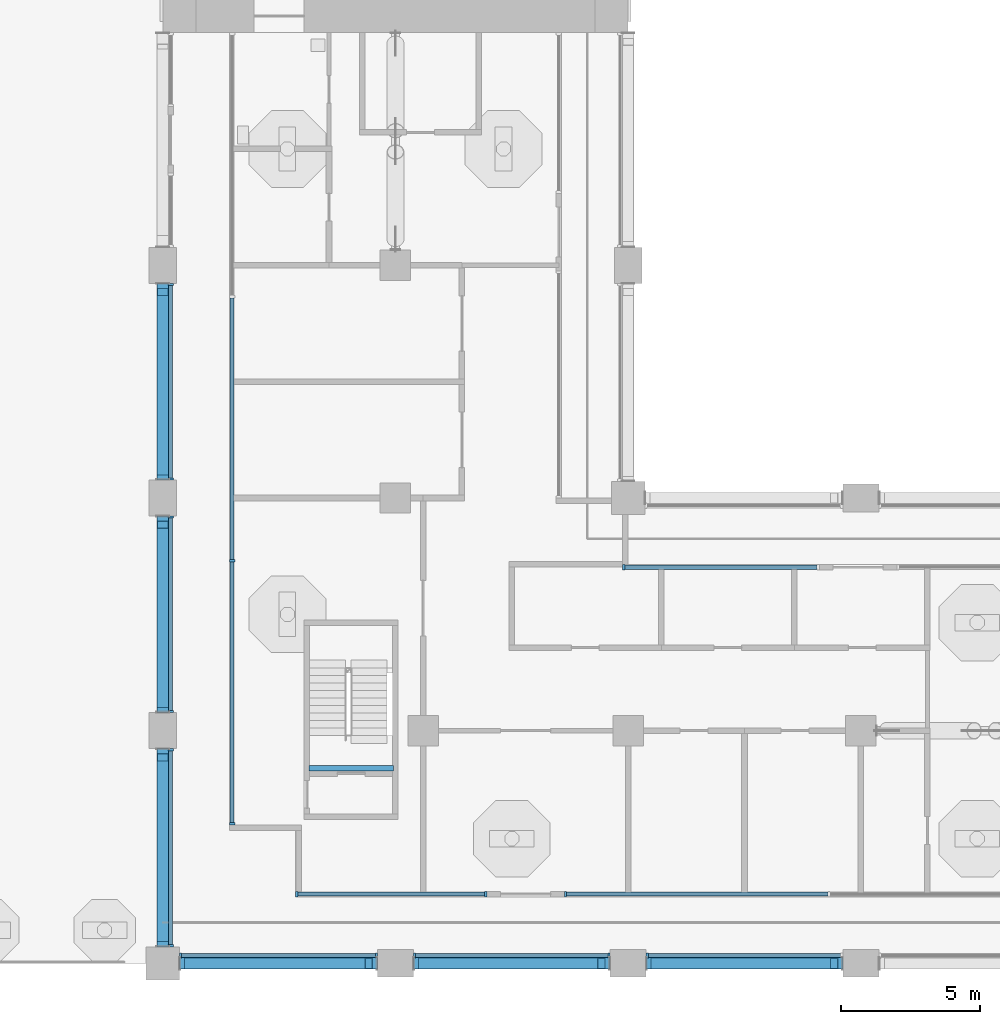
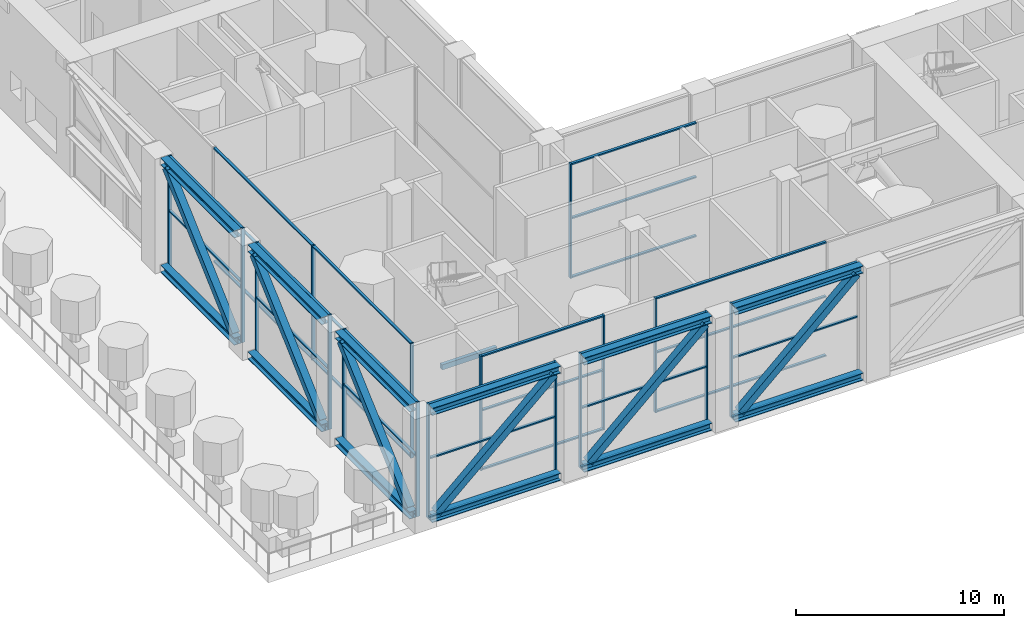
# One storey, part 2 of 22: 68 members, 1 beam, 10 elements without a shape of their own.
"""IFC4 building model written with IfcOpenShell, lengths in metres."""

from ifc_helpers import new_model, si_unit, direction, frame, origin, origin_2d, place, context, subcontext, project, spatial, rectangle, hollow_rectangle, i_section, extrude, material, material_profile, profile_set, type_object, element, aggregate, save


model = new_model("IFC4")

# Units and contexts
model_context = context("Model", 3, precision=1e-05, world=origin(), true_north=direction((0.0, 1.0)))
body_context = subcontext(model_context, "Body", "Model", "MODEL_VIEW")
ifc_project = project(units=[si_unit("LENGTHUNIT", "METRE"), si_unit("AREAUNIT", "SQUARE_METRE"), si_unit("VOLUMEUNIT", "CUBIC_METRE"), si_unit("PLANEANGLEUNIT", "RADIAN"), si_unit("MASSUNIT", "GRAM", prefix="KILO")], contexts=[model_context])

# Site, building, storey
site_placement = place(None, origin())
site = spatial("IfcSite", under=ifc_project, at=site_placement, CompositionType="ELEMENT")
building_placement = place(site_placement, origin())
building = spatial("IfcBuilding", under=site, at=building_placement, Name="Vermilion Gate Residences", CompositionType="ELEMENT")
storey_placement = place(building_placement, frame((0.0, 0.0, 140.699951171875)))
storey = spatial("IfcBuildingStorey", under=building, at=storey_placement, Name="L36", CompositionType="ELEMENT", Elevation=140.699951171875)

# Beam
ifc_material_1 = material(Name="Concrete C50", Category="concrete")
ifc_material_profile_1 = material_profile(ifc_material_1, rectangle(XDim=0.199951171875, YDim=0.300048828125, at=origin_2d()), Name="RC-200x300")
ifc_profile_set_1 = profile_set([ifc_material_profile_1], Name="Concrete C50")
beam_type = type_object("IfcBeamType", Name="RC LANDING BEAM 200 X 300 C50", PredefinedType="BEAM", material=ifc_profile_set_1)
beam_placement = place(storey_placement, frame((13.679931640625, 15.449951171875, 3.150146484375), z_axis=(1.0, 0.0, 0.0), x_axis=(0.0, 1.0, 0.0)))
element("IfcBeam", 1, at=beam_placement, inside=storey, type_object=beam_type, Name="Landing beam STC1-36 2", PredefinedType="BEAM", context=body_context, shape_type="SweptSolid", body=[
    extrude(rectangle(XDim=0.199951171875, YDim=0.300048828125, at=origin_2d()), origin(), (0.0, 0.0, 1.0), 3.0400390625),
])

# Curtain wall, members
ifc_material_2 = material(Name="Aluminium and glass", Category="aluminium")
curtain_wall_type = type_object("IfcCurtainWallType", Name="SKY GARDEN GLAZING CURTAIN WALL", PredefinedType="NOTDEFINED", material=ifc_material_2)
curtain_wall_1_placement = place(storey_placement, origin())
curtain_wall_1 = element("IfcCurtainWall", 2, at=curtain_wall_1_placement, inside=storey, type_object=curtain_wall_type, Name="Sky Garden Glazing 0", PredefinedType="NOTDEFINED")
ifc_material_3 = material(Name="Aluminium", Category="aluminium")
ifc_material_profile_2 = material_profile(ifc_material_3, rectangle(XDim=0.199951171875, YDim=0.080078125, at=origin_2d()), Name="MULLION 80 X 200")
ifc_profile_set_2 = profile_set([ifc_material_profile_2], Name="Aluminium")
member_type_1 = type_object("IfcMemberType", Name="SKY GARDEN GLAZING MULLION 80 X 200", PredefinedType="MULLION", material=ifc_profile_set_2)
member_1_placement = place(storey_placement, frame((10.89990234375, 22.933349609375, 0.0), z_axis=(0.0, 0.0, 1.0), x_axis=(1.0, 0.0, 0.0)))
member_1 = element("IfcMember", 3, at=member_1_placement, type_object=member_type_1, Name="ECW3 mullion 3", PredefinedType="MULLION", context=body_context, shape_type="SweptSolid", body=[
    extrude(rectangle(XDim=0.199951171875, YDim=0.080078125, at=origin_2d()), origin(), (0.0, 0.0, 1.0), 6.719970703125),
])
member_2_placement = place(storey_placement, frame((10.89990234375, 13.43994140625, 0.0), z_axis=(0.0, 0.0, 1.0), x_axis=(1.0, 0.0, 0.0)))
member_2 = element("IfcMember", 4, at=member_2_placement, type_object=member_type_1, Name="ECW3 mullion 4", PredefinedType="MULLION", context=body_context, shape_type="SweptSolid", body=[
    extrude(rectangle(XDim=0.199951171875, YDim=0.080078125, at=origin_2d()), origin(), (0.0, 0.0, 1.0), 6.719970703125),
])

curtain_wall_2_placement = place(storey_placement, origin())
curtain_wall_2 = element("IfcCurtainWall", 5, at=curtain_wall_2_placement, inside=storey, type_object=curtain_wall_type, Name="Sky Garden Glazing 30", PredefinedType="NOTDEFINED")
member_3_placement = place(storey_placement, frame((13.239990234375, 10.89990234375, 0.0), z_axis=(0.0, 0.0, 1.0), x_axis=(0.0, 1.0, 0.0)))
member_3 = element("IfcMember", 6, at=member_3_placement, type_object=member_type_1, Name="ECW3 mullion 1", PredefinedType="MULLION", context=body_context, shape_type="SweptSolid", body=[
    extrude(rectangle(XDim=0.199951171875, YDim=0.080078125, at=origin_2d()), origin(), (0.0, 0.0, 1.0), 6.719970703125),
])
member_4_placement = place(storey_placement, frame((20.06005859375, 10.89990234375, 0.0), z_axis=(0.0, 0.0, 1.0), x_axis=(0.0, 1.0, 0.0)))
member_4 = element("IfcMember", 7, at=member_4_placement, type_object=member_type_1, Name="ECW3 mullion 2", PredefinedType="MULLION", context=body_context, shape_type="SweptSolid", body=[
    extrude(rectangle(XDim=0.199951171875, YDim=0.080078125, at=origin_2d()), origin(), (0.0, 0.0, 1.0), 6.719970703125),
])

# Curtain wall, member
curtain_wall_3_placement = place(storey_placement, origin())
curtain_wall_3 = element("IfcCurtainWall", 8, at=curtain_wall_3_placement, inside=storey, type_object=curtain_wall_type, Name="Sky Garden Glazing 32", PredefinedType="NOTDEFINED")
member_5_placement = place(storey_placement, frame((22.93994140625, 10.89990234375, 0.0), z_axis=(0.0, 0.0, 1.0), x_axis=(0.0, 1.0, 0.0)))
member_5 = element("IfcMember", 9, at=member_5_placement, type_object=member_type_1, Name="ECW3 mullion 1", PredefinedType="MULLION", context=body_context, shape_type="SweptSolid", body=[
    extrude(rectangle(XDim=0.199951171875, YDim=0.080078125, at=origin_2d()), origin(), (0.0, 0.0, 1.0), 6.719970703125),
])

curtain_wall_4_placement = place(storey_placement, origin())
curtain_wall_4 = element("IfcCurtainWall", 10, at=curtain_wall_4_placement, inside=storey, type_object=curtain_wall_type, Name="Sky Garden Glazing 112", PredefinedType="NOTDEFINED")
member_6_placement = place(storey_placement, frame((25.0400390625, 22.699951171875, 0.0), z_axis=(0.0, 0.0, 1.0), x_axis=(0.0, -1.0, 0.0)))
member_6 = element("IfcMember", 11, at=member_6_placement, type_object=member_type_1, Name="ECW3 mullion 2", PredefinedType="MULLION", context=body_context, shape_type="SweptSolid", body=[
    extrude(rectangle(XDim=0.199951171875, YDim=0.080078125, at=origin_2d()), origin(), (0.0, 0.0, 1.0), 6.719970703125),
])

# Curtain wall, members
curtain_wall_5_placement = place(storey_placement, origin())
curtain_wall_5 = element("IfcCurtainWall", 12, at=curtain_wall_5_placement, inside=storey, type_object=curtain_wall_type, Name="Sky Garden Glazing 501", PredefinedType="NOTDEFINED")
member_7_placement = place(storey_placement, frame((8.679931640625, 32.909912109375, 0.0), z_axis=(0.0, 0.0, 1.0), x_axis=(1.0, 0.0, 0.0)))
member_7 = element("IfcMember", 13, at=member_7_placement, type_object=member_type_1, Name="ECW3 mullion 1", PredefinedType="MULLION", context=body_context, shape_type="SweptSolid", body=[
    extrude(rectangle(XDim=0.199951171875, YDim=0.080078125, at=origin_2d()), origin(), (0.0, 0.0, 1.0), 6.719970703125),
])
member_8_placement = place(storey_placement, frame((8.679931640625, 25.889892578125, 0.0), z_axis=(0.0, 0.0, 1.0), x_axis=(1.0, 0.0, 0.0)))
member_8 = element("IfcMember", 14, at=member_8_placement, type_object=member_type_1, Name="ECW3 mullion 2", PredefinedType="MULLION", context=body_context, shape_type="SweptSolid", body=[
    extrude(rectangle(XDim=0.199951171875, YDim=0.080078125, at=origin_2d()), origin(), (0.0, 0.0, 1.0), 6.719970703125),
])

curtain_wall_6_placement = place(storey_placement, origin())
curtain_wall_6 = element("IfcCurtainWall", 15, at=curtain_wall_6_placement, inside=storey, type_object=curtain_wall_type, Name="Sky Garden Glazing 502", PredefinedType="NOTDEFINED")
member_9_placement = place(storey_placement, frame((8.679931640625, 24.510009765625, 0.0), z_axis=(0.0, 0.0, 1.0), x_axis=(1.0, 0.0, 0.0)))
member_9 = element("IfcMember", 16, at=member_9_placement, type_object=member_type_1, Name="ECW3 mullion 1", PredefinedType="MULLION", context=body_context, shape_type="SweptSolid", body=[
    extrude(rectangle(XDim=0.199951171875, YDim=0.080078125, at=origin_2d()), origin(), (0.0, 0.0, 1.0), 6.719970703125),
])
member_10_placement = place(storey_placement, frame((8.679931640625, 17.489990234375, 0.0), z_axis=(0.0, 0.0, 1.0), x_axis=(1.0, 0.0, 0.0)))
member_10 = element("IfcMember", 17, at=member_10_placement, type_object=member_type_1, Name="ECW3 mullion 2", PredefinedType="MULLION", context=body_context, shape_type="SweptSolid", body=[
    extrude(rectangle(XDim=0.199951171875, YDim=0.080078125, at=origin_2d()), origin(), (0.0, 0.0, 1.0), 6.719970703125),
])

curtain_wall_7_placement = place(storey_placement, origin())
curtain_wall_7 = element("IfcCurtainWall", 18, at=curtain_wall_7_placement, inside=storey, type_object=curtain_wall_type, Name="Sky Garden Glazing 503", PredefinedType="NOTDEFINED")
member_11_placement = place(storey_placement, frame((8.679931640625, 16.110107421875, 0.0), z_axis=(0.0, 0.0, 1.0), x_axis=(1.0, 0.0, 0.0)))
member_11 = element("IfcMember", 19, at=member_11_placement, type_object=member_type_1, Name="ECW3 mullion 1", PredefinedType="MULLION", context=body_context, shape_type="SweptSolid", body=[
    extrude(rectangle(XDim=0.199951171875, YDim=0.080078125, at=origin_2d()), origin(), (0.0, 0.0, 1.0), 6.719970703125),
])
member_12_placement = place(storey_placement, frame((8.679931640625, 9.0400390625, 0.0), z_axis=(0.0, 0.0, 1.0), x_axis=(1.0, 0.0, 0.0)))
member_12 = element("IfcMember", 20, at=member_12_placement, type_object=member_type_1, Name="ECW3 mullion 2", PredefinedType="MULLION", context=body_context, shape_type="SweptSolid", body=[
    extrude(rectangle(XDim=0.199951171875, YDim=0.080078125, at=origin_2d()), origin(), (0.0, 0.0, 1.0), 6.719970703125),
])

curtain_wall_8_placement = place(storey_placement, origin())
curtain_wall_8 = element("IfcCurtainWall", 21, at=curtain_wall_8_placement, inside=storey, type_object=curtain_wall_type, Name="Sky Garden Glazing 504", PredefinedType="NOTDEFINED")
member_13_placement = place(storey_placement, frame((9.0400390625, 8.679931640625, 0.0), z_axis=(0.0, 0.0, 1.0), x_axis=(0.0, 1.0, 0.0)))
member_13 = element("IfcMember", 22, at=member_13_placement, type_object=member_type_1, Name="ECW3 mullion 1", PredefinedType="MULLION", context=body_context, shape_type="SweptSolid", body=[
    extrude(rectangle(XDim=0.199951171875, YDim=0.080078125, at=origin_2d()), origin(), (0.0, 0.0, 1.0), 6.719970703125),
])
member_14_placement = place(storey_placement, frame((16.110107421875, 8.679931640625, 0.0), z_axis=(0.0, 0.0, 1.0), x_axis=(0.0, 1.0, 0.0)))
member_14 = element("IfcMember", 23, at=member_14_placement, type_object=member_type_1, Name="ECW3 mullion 2", PredefinedType="MULLION", context=body_context, shape_type="SweptSolid", body=[
    extrude(rectangle(XDim=0.199951171875, YDim=0.080078125, at=origin_2d()), origin(), (0.0, 0.0, 1.0), 6.719970703125),
])

curtain_wall_9_placement = place(storey_placement, origin())
curtain_wall_9 = element("IfcCurtainWall", 24, at=curtain_wall_9_placement, inside=storey, type_object=curtain_wall_type, Name="Sky Garden Glazing 505", PredefinedType="NOTDEFINED")
member_15_placement = place(storey_placement, frame((17.489990234375, 8.679931640625, 0.0), z_axis=(0.0, 0.0, 1.0), x_axis=(0.0, 1.0, 0.0)))
member_15 = element("IfcMember", 25, at=member_15_placement, type_object=member_type_1, Name="ECW3 mullion 1", PredefinedType="MULLION", context=body_context, shape_type="SweptSolid", body=[
    extrude(rectangle(XDim=0.199951171875, YDim=0.080078125, at=origin_2d()), origin(), (0.0, 0.0, 1.0), 6.719970703125),
])
member_16_placement = place(storey_placement, frame((24.510009765625, 8.679931640625, 0.0), z_axis=(0.0, 0.0, 1.0), x_axis=(0.0, 1.0, 0.0)))
member_16 = element("IfcMember", 26, at=member_16_placement, type_object=member_type_1, Name="ECW3 mullion 2", PredefinedType="MULLION", context=body_context, shape_type="SweptSolid", body=[
    extrude(rectangle(XDim=0.199951171875, YDim=0.080078125, at=origin_2d()), origin(), (0.0, 0.0, 1.0), 6.719970703125),
])

# Curtain wall, member
curtain_wall_10_placement = place(storey_placement, origin())
curtain_wall_10 = element("IfcCurtainWall", 27, at=curtain_wall_10_placement, inside=storey, type_object=curtain_wall_type, Name="Sky Garden Glazing 506", PredefinedType="NOTDEFINED")
member_17_placement = place(storey_placement, frame((25.889892578125, 8.679931640625, 0.0), z_axis=(0.0, 0.0, 1.0), x_axis=(0.0, 1.0, 0.0)))
member_17 = element("IfcMember", 28, at=member_17_placement, type_object=member_type_1, Name="ECW3 mullion 1", PredefinedType="MULLION", context=body_context, shape_type="SweptSolid", body=[
    extrude(rectangle(XDim=0.199951171875, YDim=0.080078125, at=origin_2d()), origin(), (0.0, 0.0, 1.0), 6.719970703125),
])

# Member
ifc_material_4 = material(Name="Aluminium", Category="aluminium")
ifc_material_profile_3 = material_profile(ifc_material_4, rectangle(XDim=0.14990234375, YDim=0.080078125, at=origin_2d()), Name="TRANSOM 80 X 150")
ifc_profile_set_3 = profile_set([ifc_material_profile_3], Name="Aluminium")
member_type_2 = type_object("IfcMemberType", Name="SKY GARDEN GLAZING TRANSOM 80 X 150", PredefinedType="MULLION", material=ifc_profile_set_3)
member_18_placement = place(storey_placement, frame((10.89990234375, 32.4267578125, 0.0400390625), z_axis=(0.0, -1.0, 0.0), x_axis=(1.0, 0.0, 0.0)))
member_18 = element("IfcMember", 29, at=member_18_placement, type_object=member_type_2, Name="ECW3 transom 2.1", PredefinedType="MULLION", context=body_context, shape_type="SweptSolid", body=[
    extrude(rectangle(XDim=0.14990234375, YDim=0.080078125, at=origin_2d()), origin(), (0.0, 0.0, 1.0), 9.453369140625),
])

member_19_placement = place(storey_placement, frame((10.89990234375, 32.4267578125, 3.5), z_axis=(0.0, -1.0, 0.0), x_axis=(1.0, 0.0, 0.0)))
member_19 = element("IfcMember", 30, at=member_19_placement, type_object=member_type_2, Name="ECW3 transom 2.2", PredefinedType="MULLION", context=body_context, shape_type="SweptSolid", body=[
    extrude(rectangle(XDim=0.14990234375, YDim=0.080078125, at=origin_2d()), origin(), (0.0, 0.0, 1.0), 9.453369140625),
])

member_20_placement = place(storey_placement, frame((10.89990234375, 32.4267578125, 6.679931640625), z_axis=(0.0, -1.0, 0.0), x_axis=(1.0, 0.0, 0.0)))
member_20 = element("IfcMember", 31, at=member_20_placement, type_object=member_type_2, Name="ECW3 transom 2.3", PredefinedType="MULLION", context=body_context, shape_type="SweptSolid", body=[
    extrude(rectangle(XDim=0.14990234375, YDim=0.080078125, at=origin_2d()), origin(), (0.0, 0.0, 1.0), 9.453369140625),
])

member_21_placement = place(storey_placement, frame((10.89990234375, 22.893310546875, 0.0400390625), z_axis=(0.0, -1.0, 0.0), x_axis=(1.0, 0.0, 0.0)))
member_21 = element("IfcMember", 32, at=member_21_placement, type_object=member_type_2, Name="ECW3 transom 3.1", PredefinedType="MULLION", context=body_context, shape_type="SweptSolid", body=[
    extrude(rectangle(XDim=0.14990234375, YDim=0.080078125, at=origin_2d()), origin(), (0.0, 0.0, 1.0), 9.413330078125),
])

member_22_placement = place(storey_placement, frame((10.89990234375, 22.893310546875, 3.5), z_axis=(0.0, -1.0, 0.0), x_axis=(1.0, 0.0, 0.0)))
member_22 = element("IfcMember", 33, at=member_22_placement, type_object=member_type_2, Name="ECW3 transom 3.2", PredefinedType="MULLION", context=body_context, shape_type="SweptSolid", body=[
    extrude(rectangle(XDim=0.14990234375, YDim=0.080078125, at=origin_2d()), origin(), (0.0, 0.0, 1.0), 9.413330078125),
])

member_23_placement = place(storey_placement, frame((10.89990234375, 22.893310546875, 6.679931640625), z_axis=(0.0, -1.0, 0.0), x_axis=(1.0, 0.0, 0.0)))
member_23 = element("IfcMember", 34, at=member_23_placement, type_object=member_type_2, Name="ECW3 transom 3.3", PredefinedType="MULLION", context=body_context, shape_type="SweptSolid", body=[
    extrude(rectangle(XDim=0.14990234375, YDim=0.080078125, at=origin_2d()), origin(), (0.0, 0.0, 1.0), 9.413330078125),
])

aggregate(curtain_wall_1, [member_1, member_2, member_18, member_19, member_20, member_21, member_22, member_23])

member_24_placement = place(storey_placement, frame((13.280029296875, 10.89990234375, 0.0400390625), z_axis=(1.0, 0.0, 0.0), x_axis=(0.0, 1.0, 0.0)))
member_24 = element("IfcMember", 35, at=member_24_placement, type_object=member_type_2, Name="ECW3 transom 1.1", PredefinedType="MULLION", context=body_context, shape_type="SweptSolid", body=[
    extrude(rectangle(XDim=0.14990234375, YDim=0.080078125, at=origin_2d()), origin(), (0.0, 0.0, 1.0), 6.739990234375),
])

member_25_placement = place(storey_placement, frame((13.280029296875, 10.89990234375, 3.5), z_axis=(1.0, 0.0, 0.0), x_axis=(0.0, 1.0, 0.0)))
member_25 = element("IfcMember", 36, at=member_25_placement, type_object=member_type_2, Name="ECW3 transom 1.2", PredefinedType="MULLION", context=body_context, shape_type="SweptSolid", body=[
    extrude(rectangle(XDim=0.14990234375, YDim=0.080078125, at=origin_2d()), origin(), (0.0, 0.0, 1.0), 6.739990234375),
])

member_26_placement = place(storey_placement, frame((13.280029296875, 10.89990234375, 6.679931640625), z_axis=(1.0, 0.0, 0.0), x_axis=(0.0, 1.0, 0.0)))
member_26 = element("IfcMember", 37, at=member_26_placement, type_object=member_type_2, Name="ECW3 transom 1.3", PredefinedType="MULLION", context=body_context, shape_type="SweptSolid", body=[
    extrude(rectangle(XDim=0.14990234375, YDim=0.080078125, at=origin_2d()), origin(), (0.0, 0.0, 1.0), 6.739990234375),
])

aggregate(curtain_wall_2, [member_3, member_4, member_24, member_25, member_26])

member_27_placement = place(storey_placement, frame((22.97998046875, 10.89990234375, 0.0400390625), z_axis=(1.0, 0.0, 0.0), x_axis=(0.0, 1.0, 0.0)))
member_27 = element("IfcMember", 38, at=member_27_placement, type_object=member_type_2, Name="ECW3 transom 1.1", PredefinedType="MULLION", context=body_context, shape_type="SweptSolid", body=[
    extrude(rectangle(XDim=0.14990234375, YDim=0.080078125, at=origin_2d()), origin(), (0.0, 0.0, 1.0), 9.429931640625),
])

member_28_placement = place(storey_placement, frame((22.97998046875, 10.89990234375, 3.5), z_axis=(1.0, 0.0, 0.0), x_axis=(0.0, 1.0, 0.0)))
member_28 = element("IfcMember", 39, at=member_28_placement, type_object=member_type_2, Name="ECW3 transom 1.2", PredefinedType="MULLION", context=body_context, shape_type="SweptSolid", body=[
    extrude(rectangle(XDim=0.14990234375, YDim=0.080078125, at=origin_2d()), origin(), (0.0, 0.0, 1.0), 9.429931640625),
])

member_29_placement = place(storey_placement, frame((22.97998046875, 10.89990234375, 6.679931640625), z_axis=(1.0, 0.0, 0.0), x_axis=(0.0, 1.0, 0.0)))
member_29 = element("IfcMember", 40, at=member_29_placement, type_object=member_type_2, Name="ECW3 transom 1.3", PredefinedType="MULLION", context=body_context, shape_type="SweptSolid", body=[
    extrude(rectangle(XDim=0.14990234375, YDim=0.080078125, at=origin_2d()), origin(), (0.0, 0.0, 1.0), 9.429931640625),
])

aggregate(curtain_wall_3, [member_5, member_27, member_28, member_29])

member_30_placement = place(storey_placement, frame((32.02001953125, 22.699951171875, 0.0400390625), z_axis=(-1.0, 0.0, 0.0), x_axis=(0.0, -1.0, 0.0)))
member_30 = element("IfcMember", 41, at=member_30_placement, type_object=member_type_2, Name="ECW3 transom 1.1", PredefinedType="MULLION", context=body_context, shape_type="SweptSolid", body=[
    extrude(rectangle(XDim=0.14990234375, YDim=0.080078125, at=origin_2d()), origin(), (0.0, 0.0, 1.0), 6.93994140625),
])

member_31_placement = place(storey_placement, frame((32.02001953125, 22.699951171875, 3.5), z_axis=(-1.0, 0.0, 0.0), x_axis=(0.0, -1.0, 0.0)))
member_31 = element("IfcMember", 42, at=member_31_placement, type_object=member_type_2, Name="ECW3 transom 1.2", PredefinedType="MULLION", context=body_context, shape_type="SweptSolid", body=[
    extrude(rectangle(XDim=0.14990234375, YDim=0.080078125, at=origin_2d()), origin(), (0.0, 0.0, 1.0), 6.93994140625),
])

member_32_placement = place(storey_placement, frame((32.02001953125, 22.699951171875, 6.679931640625), z_axis=(-1.0, 0.0, 0.0), x_axis=(0.0, -1.0, 0.0)))
member_32 = element("IfcMember", 43, at=member_32_placement, type_object=member_type_2, Name="ECW3 transom 1.3", PredefinedType="MULLION", context=body_context, shape_type="SweptSolid", body=[
    extrude(rectangle(XDim=0.14990234375, YDim=0.080078125, at=origin_2d()), origin(), (0.0, 0.0, 1.0), 6.93994140625),
])

aggregate(curtain_wall_4, [member_6, member_30, member_31, member_32])

member_33_placement = place(storey_placement, frame((8.679931640625, 32.8701171875, 0.0400390625), z_axis=(0.0, -1.0, 0.0), x_axis=(1.0, 0.0, 0.0)))
member_33 = element("IfcMember", 44, at=member_33_placement, type_object=member_type_2, Name="ECW3 transom 1.1", PredefinedType="MULLION", context=body_context, shape_type="SweptSolid", body=[
    extrude(rectangle(XDim=0.14990234375, YDim=0.080078125, at=origin_2d()), origin(), (0.0, 0.0, 1.0), 6.940185546875),
])

member_34_placement = place(storey_placement, frame((8.679931640625, 32.8701171875, 3.5), z_axis=(0.0, -1.0, 0.0), x_axis=(1.0, 0.0, 0.0)))
member_34 = element("IfcMember", 45, at=member_34_placement, type_object=member_type_2, Name="ECW3 transom 1.2", PredefinedType="MULLION", context=body_context, shape_type="SweptSolid", body=[
    extrude(rectangle(XDim=0.14990234375, YDim=0.080078125, at=origin_2d()), origin(), (0.0, 0.0, 1.0), 6.940185546875),
])

member_35_placement = place(storey_placement, frame((8.679931640625, 32.8701171875, 6.679931640625), z_axis=(0.0, -1.0, 0.0), x_axis=(1.0, 0.0, 0.0)))
member_35 = element("IfcMember", 46, at=member_35_placement, type_object=member_type_2, Name="ECW3 transom 1.3", PredefinedType="MULLION", context=body_context, shape_type="SweptSolid", body=[
    extrude(rectangle(XDim=0.14990234375, YDim=0.080078125, at=origin_2d()), origin(), (0.0, 0.0, 1.0), 6.940185546875),
])

aggregate(curtain_wall_5, [member_7, member_8, member_33, member_34, member_35])

member_36_placement = place(storey_placement, frame((8.679931640625, 24.469970703125, 0.0400390625), z_axis=(0.0, -1.0, 0.0), x_axis=(1.0, 0.0, 0.0)))
member_36 = element("IfcMember", 47, at=member_36_placement, type_object=member_type_2, Name="ECW3 transom 1.1", PredefinedType="MULLION", context=body_context, shape_type="SweptSolid", body=[
    extrude(rectangle(XDim=0.14990234375, YDim=0.080078125, at=origin_2d()), origin(), (0.0, 0.0, 1.0), 6.93994140625),
])

member_37_placement = place(storey_placement, frame((8.679931640625, 24.469970703125, 3.5), z_axis=(0.0, -1.0, 0.0), x_axis=(1.0, 0.0, 0.0)))
member_37 = element("IfcMember", 48, at=member_37_placement, type_object=member_type_2, Name="ECW3 transom 1.2", PredefinedType="MULLION", context=body_context, shape_type="SweptSolid", body=[
    extrude(rectangle(XDim=0.14990234375, YDim=0.080078125, at=origin_2d()), origin(), (0.0, 0.0, 1.0), 6.93994140625),
])

member_38_placement = place(storey_placement, frame((8.679931640625, 24.469970703125, 6.679931640625), z_axis=(0.0, -1.0, 0.0), x_axis=(1.0, 0.0, 0.0)))
member_38 = element("IfcMember", 49, at=member_38_placement, type_object=member_type_2, Name="ECW3 transom 1.3", PredefinedType="MULLION", context=body_context, shape_type="SweptSolid", body=[
    extrude(rectangle(XDim=0.14990234375, YDim=0.080078125, at=origin_2d()), origin(), (0.0, 0.0, 1.0), 6.93994140625),
])

aggregate(curtain_wall_6, [member_9, member_10, member_36, member_37, member_38])

member_39_placement = place(storey_placement, frame((8.679931640625, 16.070068359375, 0.0400390625), z_axis=(0.0, -1.0, 0.0), x_axis=(1.0, 0.0, 0.0)))
member_39 = element("IfcMember", 50, at=member_39_placement, type_object=member_type_2, Name="ECW3 transom 1.1", PredefinedType="MULLION", context=body_context, shape_type="SweptSolid", body=[
    extrude(rectangle(XDim=0.14990234375, YDim=0.080078125, at=origin_2d()), origin(), (0.0, 0.0, 1.0), 6.989990234375),
])

member_40_placement = place(storey_placement, frame((8.679931640625, 16.070068359375, 3.5), z_axis=(0.0, -1.0, 0.0), x_axis=(1.0, 0.0, 0.0)))
member_40 = element("IfcMember", 51, at=member_40_placement, type_object=member_type_2, Name="ECW3 transom 1.2", PredefinedType="MULLION", context=body_context, shape_type="SweptSolid", body=[
    extrude(rectangle(XDim=0.14990234375, YDim=0.080078125, at=origin_2d()), origin(), (0.0, 0.0, 1.0), 6.989990234375),
])

member_41_placement = place(storey_placement, frame((8.679931640625, 16.070068359375, 6.679931640625), z_axis=(0.0, -1.0, 0.0), x_axis=(1.0, 0.0, 0.0)))
member_41 = element("IfcMember", 52, at=member_41_placement, type_object=member_type_2, Name="ECW3 transom 1.3", PredefinedType="MULLION", context=body_context, shape_type="SweptSolid", body=[
    extrude(rectangle(XDim=0.14990234375, YDim=0.080078125, at=origin_2d()), origin(), (0.0, 0.0, 1.0), 6.989990234375),
])

aggregate(curtain_wall_7, [member_11, member_12, member_39, member_40, member_41])

member_42_placement = place(storey_placement, frame((9.080078125, 8.679931640625, 0.0400390625), z_axis=(1.0, 0.0, 0.0), x_axis=(0.0, 1.0, 0.0)))
member_42 = element("IfcMember", 53, at=member_42_placement, type_object=member_type_2, Name="ECW3 transom 1.1", PredefinedType="MULLION", context=body_context, shape_type="SweptSolid", body=[
    extrude(rectangle(XDim=0.14990234375, YDim=0.080078125, at=origin_2d()), origin(), (0.0, 0.0, 1.0), 6.989990234375),
])

member_43_placement = place(storey_placement, frame((9.080078125, 8.679931640625, 3.5), z_axis=(1.0, 0.0, 0.0), x_axis=(0.0, 1.0, 0.0)))
member_43 = element("IfcMember", 54, at=member_43_placement, type_object=member_type_2, Name="ECW3 transom 1.2", PredefinedType="MULLION", context=body_context, shape_type="SweptSolid", body=[
    extrude(rectangle(XDim=0.14990234375, YDim=0.080078125, at=origin_2d()), origin(), (0.0, 0.0, 1.0), 6.989990234375),
])

member_44_placement = place(storey_placement, frame((9.080078125, 8.679931640625, 6.679931640625), z_axis=(1.0, 0.0, 0.0), x_axis=(0.0, 1.0, 0.0)))
member_44 = element("IfcMember", 55, at=member_44_placement, type_object=member_type_2, Name="ECW3 transom 1.3", PredefinedType="MULLION", context=body_context, shape_type="SweptSolid", body=[
    extrude(rectangle(XDim=0.14990234375, YDim=0.080078125, at=origin_2d()), origin(), (0.0, 0.0, 1.0), 6.989990234375),
])

aggregate(curtain_wall_8, [member_13, member_14, member_42, member_43, member_44])

member_45_placement = place(storey_placement, frame((17.530029296875, 8.679931640625, 0.0400390625), z_axis=(1.0, 0.0, 0.0), x_axis=(0.0, 1.0, 0.0)))
member_45 = element("IfcMember", 56, at=member_45_placement, type_object=member_type_2, Name="ECW3 transom 1.1", PredefinedType="MULLION", context=body_context, shape_type="SweptSolid", body=[
    extrude(rectangle(XDim=0.14990234375, YDim=0.080078125, at=origin_2d()), origin(), (0.0, 0.0, 1.0), 6.93994140625),
])

member_46_placement = place(storey_placement, frame((17.530029296875, 8.679931640625, 3.5), z_axis=(1.0, 0.0, 0.0), x_axis=(0.0, 1.0, 0.0)))
member_46 = element("IfcMember", 57, at=member_46_placement, type_object=member_type_2, Name="ECW3 transom 1.2", PredefinedType="MULLION", context=body_context, shape_type="SweptSolid", body=[
    extrude(rectangle(XDim=0.14990234375, YDim=0.080078125, at=origin_2d()), origin(), (0.0, 0.0, 1.0), 6.93994140625),
])

member_47_placement = place(storey_placement, frame((17.530029296875, 8.679931640625, 6.679931640625), z_axis=(1.0, 0.0, 0.0), x_axis=(0.0, 1.0, 0.0)))
member_47 = element("IfcMember", 58, at=member_47_placement, type_object=member_type_2, Name="ECW3 transom 1.3", PredefinedType="MULLION", context=body_context, shape_type="SweptSolid", body=[
    extrude(rectangle(XDim=0.14990234375, YDim=0.080078125, at=origin_2d()), origin(), (0.0, 0.0, 1.0), 6.93994140625),
])

aggregate(curtain_wall_9, [member_15, member_16, member_45, member_46, member_47])

member_48_placement = place(storey_placement, frame((25.929931640625, 8.679931640625, 0.0400390625), z_axis=(1.0, 0.0, 0.0), x_axis=(0.0, 1.0, 0.0)))
member_48 = element("IfcMember", 59, at=member_48_placement, type_object=member_type_2, Name="ECW3 transom 1.1", PredefinedType="MULLION", context=body_context, shape_type="SweptSolid", body=[
    extrude(rectangle(XDim=0.14990234375, YDim=0.080078125, at=origin_2d()), origin(), (0.0, 0.0, 1.0), 6.940185546875),
])

member_49_placement = place(storey_placement, frame((25.929931640625, 8.679931640625, 3.5), z_axis=(1.0, 0.0, 0.0), x_axis=(0.0, 1.0, 0.0)))
member_49 = element("IfcMember", 60, at=member_49_placement, type_object=member_type_2, Name="ECW3 transom 1.2", PredefinedType="MULLION", context=body_context, shape_type="SweptSolid", body=[
    extrude(rectangle(XDim=0.14990234375, YDim=0.080078125, at=origin_2d()), origin(), (0.0, 0.0, 1.0), 6.940185546875),
])

member_50_placement = place(storey_placement, frame((25.929931640625, 8.679931640625, 6.679931640625), z_axis=(1.0, 0.0, 0.0), x_axis=(0.0, 1.0, 0.0)))
member_50 = element("IfcMember", 61, at=member_50_placement, type_object=member_type_2, Name="ECW3 transom 1.3", PredefinedType="MULLION", context=body_context, shape_type="SweptSolid", body=[
    extrude(rectangle(XDim=0.14990234375, YDim=0.080078125, at=origin_2d()), origin(), (0.0, 0.0, 1.0), 6.940185546875),
])

aggregate(curtain_wall_10, [member_17, member_48, member_49, member_50])

# Members
ifc_material_5 = material(Name="Steel SM490", Category="steel")
ifc_material_profile_4 = material_profile(ifc_material_5, i_section(OverallWidth=0.406982421875, OverallDepth=0.427978515625, WebThickness=0.02001953125, FlangeThickness=0.034912109375, at=origin_2d()), Name="H-428x407x20x35")
ifc_profile_set_4 = profile_set([ifc_material_profile_4], Name="Steel SM490")
member_type_3 = type_object("IfcMemberType", Name="STEEL BELT TRUSS CHORD H-428x407x20x35 SM490", PredefinedType="CHORD", material=ifc_profile_set_4)
for number, where, z_axis, x_axis, name in (
    (62, (9.0, 8.39990234375, 0.214111328125), (1.0, 0.0, 0.0), (0.0, 1.0, 0.0), "Belt Truss chord bot L36 BELT21"),
    (63, (9.0, 8.39990234375, 6.506103515625), (1.0, 0.0, 0.0), (0.0, 1.0, 0.0), "Belt Truss chord top L36 BELT21"),
    (64, (8.39990234375, 9.0, 0.214111328125), (0.0, 1.0, 0.0), (-1.0, 0.0, 0.0), "Belt Truss chord bot L36 BELT22"),
    (65, (8.39990234375, 9.0, 6.506103515625), (0.0, 1.0, 0.0), (-1.0, 0.0, 0.0), "Belt Truss chord top L36 BELT22"),
):
    element("IfcMember", number, at=place(storey_placement, frame(where, z_axis=z_axis, x_axis=x_axis)), inside=storey, type_object=member_type_3, Name=name, PredefinedType="CHORD", context=body_context, shape_type="SweptSolid", body=[
        extrude(i_section(OverallWidth=0.406982421875, OverallDepth=0.427978515625, WebThickness=0.02001953125, FlangeThickness=0.034912109375, at=origin_2d()), origin(), (0.0, 0.0, 1.0), 7.14990234375),
    ])
for number, where, z_axis, x_axis, name in (
    (66, (8.39990234375, 17.449951171875, 0.214111328125), (0.0, 1.0, 0.0), (-1.0, 0.0, 0.0), "Belt Truss chord bot L36 BELT23"),
    (67, (8.39990234375, 17.449951171875, 6.506103515625), (0.0, 1.0, 0.0), (-1.0, 0.0, 0.0), "Belt Truss chord top L36 BELT23"),
):
    element("IfcMember", number, at=place(storey_placement, frame(where, z_axis=z_axis, x_axis=x_axis)), inside=storey, type_object=member_type_3, Name=name, PredefinedType="CHORD", context=body_context, shape_type="SweptSolid", body=[
        extrude(i_section(OverallWidth=0.406982421875, OverallDepth=0.427978515625, WebThickness=0.02001953125, FlangeThickness=0.034912109375, at=origin_2d()), origin(), (0.0, 0.0, 1.0), 7.10009765625),
    ])
for number, where, z_axis, x_axis, name in (
    (68, (8.39990234375, 25.85009765625, 0.214111328125), (0.0, 1.0, 0.0), (-1.0, 0.0, 0.0), "Belt Truss chord bot L36 BELT24"),
    (69, (8.39990234375, 25.85009765625, 6.506103515625), (0.0, 1.0, 0.0), (-1.0, 0.0, 0.0), "Belt Truss chord top L36 BELT24"),
):
    element("IfcMember", number, at=place(storey_placement, frame(where, z_axis=z_axis, x_axis=x_axis)), inside=storey, type_object=member_type_3, Name=name, PredefinedType="CHORD", context=body_context, shape_type="SweptSolid", body=[
        extrude(i_section(OverallWidth=0.406982421875, OverallDepth=0.427978515625, WebThickness=0.02001953125, FlangeThickness=0.034912109375, at=origin_2d()), origin(), (0.0, 0.0, 1.0), 7.099853515625),
    ])
for number, where, z_axis, x_axis, name in (
    (70, (17.449951171875, 8.39990234375, 0.214111328125), (1.0, 0.0, 0.0), (0.0, 1.0, 0.0), "Belt Truss chord bot L36 BELT26"),
    (71, (17.449951171875, 8.39990234375, 6.506103515625), (1.0, 0.0, 0.0), (0.0, 1.0, 0.0), "Belt Truss chord top L36 BELT26"),
):
    element("IfcMember", number, at=place(storey_placement, frame(where, z_axis=z_axis, x_axis=x_axis)), inside=storey, type_object=member_type_3, Name=name, PredefinedType="CHORD", context=body_context, shape_type="SweptSolid", body=[
        extrude(i_section(OverallWidth=0.406982421875, OverallDepth=0.427978515625, WebThickness=0.02001953125, FlangeThickness=0.034912109375, at=origin_2d()), origin(), (0.0, 0.0, 1.0), 7.10009765625),
    ])
for number, where, z_axis, x_axis, name in (
    (72, (25.85009765625, 8.39990234375, 0.214111328125), (1.0, 0.0, 0.0), (0.0, 1.0, 0.0), "Belt Truss chord bot L36 BELT29"),
    (73, (25.85009765625, 8.39990234375, 6.506103515625), (1.0, 0.0, 0.0), (0.0, 1.0, 0.0), "Belt Truss chord top L36 BELT29"),
):
    element("IfcMember", number, at=place(storey_placement, frame(where, z_axis=z_axis, x_axis=x_axis)), inside=storey, type_object=member_type_3, Name=name, PredefinedType="CHORD", context=body_context, shape_type="SweptSolid", body=[
        extrude(i_section(OverallWidth=0.406982421875, OverallDepth=0.427978515625, WebThickness=0.02001953125, FlangeThickness=0.034912109375, at=origin_2d()), origin(), (0.0, 0.0, 1.0), 7.099853515625),
    ])
ifc_material_6 = material(Name="Steel SM490", Category="steel")
ifc_material_profile_5 = material_profile(ifc_material_6, hollow_rectangle(XDim=0.39990234375, YDim=0.39990234375, WallThickness=0.01611328125, at=origin_2d()), Name="BOX-400x400x16")
ifc_profile_set_5 = profile_set([ifc_material_profile_5], Name="Steel SM490")
member_type_4 = type_object("IfcMemberType", Name="STEEL BELT TRUSS DIAGONAL BOX-400x400x16 SM490", PredefinedType="BRACE", material=ifc_profile_set_5)
for number, where, z_axis, x_axis, name in (
    (74, (9.3154296875, 8.39990234375, 0.427978515625), (0.743483785194, 0.0, 0.668753961599), (0.0, 1.0, 0.0), "Belt Truss diagonal L36 BELT21-1"),
    (75, (8.39990234375, 9.3154296875, 0.427978515625), (0.0, 0.743483785194, 0.668753961599), (-1.0, 0.0, 0.0), "Belt Truss diagonal L36 BELT22-1"),
):
    element("IfcMember", number, at=place(storey_placement, frame(where, z_axis=z_axis, x_axis=x_axis)), inside=storey, type_object=member_type_4, Name=name, PredefinedType="BRACE", context=body_context, shape_type="SweptSolid", body=[
        extrude(hollow_rectangle(XDim=0.39990234375, YDim=0.39990234375, WallThickness=0.01611328125, at=origin_2d()), origin(), (0.0, 0.0, 1.0), 8.7685546875),
    ])
member_51_placement = place(storey_placement, frame((8.39990234375, 17.76416015625, 0.427978515625), z_axis=(0.0, 0.741040851192, 0.671459944348), x_axis=(-1.0, 0.0, 0.0)))
element("IfcMember", 76, at=member_51_placement, inside=storey, type_object=member_type_4, Name="Belt Truss diagonal L36 BELT23-1", PredefinedType="BRACE", context=body_context, shape_type="SweptSolid", body=[
    extrude(hollow_rectangle(XDim=0.39990234375, YDim=0.39990234375, WallThickness=0.01611328125, at=origin_2d()), origin(), (0.0, 0.0, 1.0), 8.733154296875),
])
member_52_placement = place(storey_placement, frame((8.39990234375, 26.1640625, 0.427978515625), z_axis=(0.0, 0.741053454714, 0.671446034508), x_axis=(-1.0, 0.0, 0.0)))
element("IfcMember", 77, at=member_52_placement, inside=storey, type_object=member_type_4, Name="Belt Truss diagonal L36 BELT24-1", PredefinedType="BRACE", context=body_context, shape_type="SweptSolid", body=[
    extrude(hollow_rectangle(XDim=0.39990234375, YDim=0.39990234375, WallThickness=0.01611328125, at=origin_2d()), origin(), (0.0, 0.0, 1.0), 8.7333984375),
])
member_53_placement = place(storey_placement, frame((17.76416015625, 8.39990234375, 0.427978515625), z_axis=(0.741040851192, 0.0, 0.671459944348), x_axis=(0.0, 1.0, 0.0)))
element("IfcMember", 78, at=member_53_placement, inside=storey, type_object=member_type_4, Name="Belt Truss diagonal L36 BELT26-1", PredefinedType="BRACE", context=body_context, shape_type="SweptSolid", body=[
    extrude(hollow_rectangle(XDim=0.39990234375, YDim=0.39990234375, WallThickness=0.01611328125, at=origin_2d()), origin(), (0.0, 0.0, 1.0), 8.733154296875),
])
member_54_placement = place(storey_placement, frame((26.1640625, 8.39990234375, 0.427978515625), z_axis=(0.741053454714, 0.0, 0.671446034508), x_axis=(0.0, 1.0, 0.0)))
element("IfcMember", 79, at=member_54_placement, inside=storey, type_object=member_type_4, Name="Belt Truss diagonal L36 BELT29-1", PredefinedType="BRACE", context=body_context, shape_type="SweptSolid", body=[
    extrude(hollow_rectangle(XDim=0.39990234375, YDim=0.39990234375, WallThickness=0.01611328125, at=origin_2d()), origin(), (0.0, 0.0, 1.0), 8.7333984375),
])

save(model, "model.ifc")
